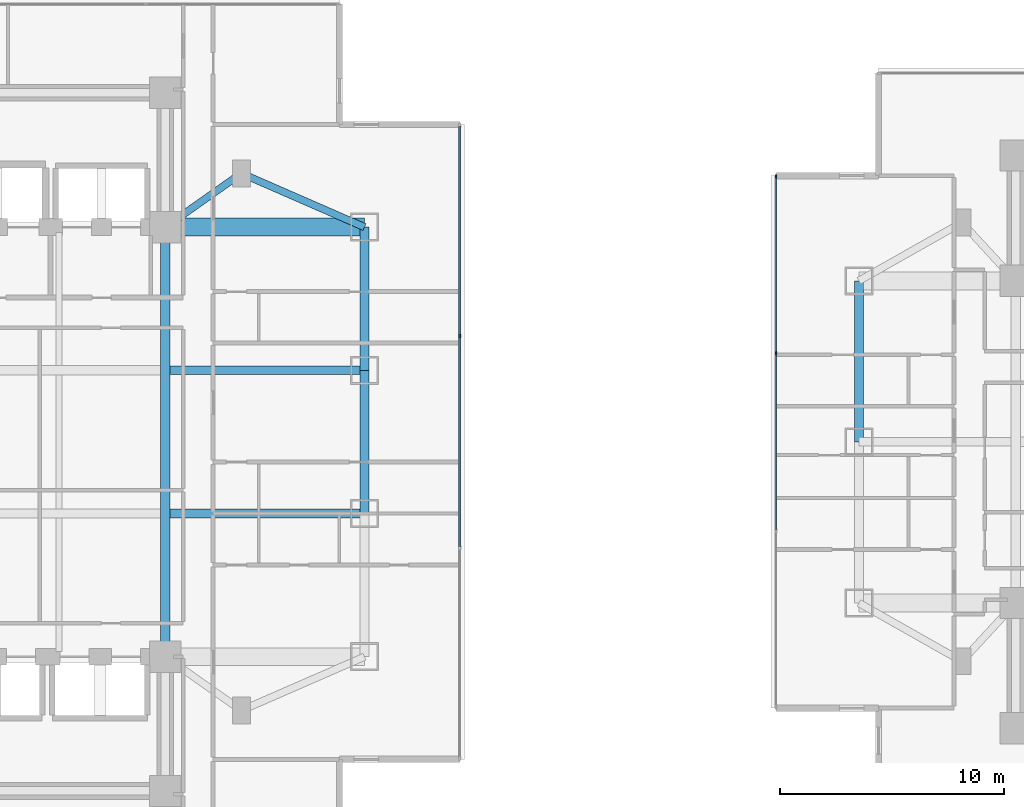
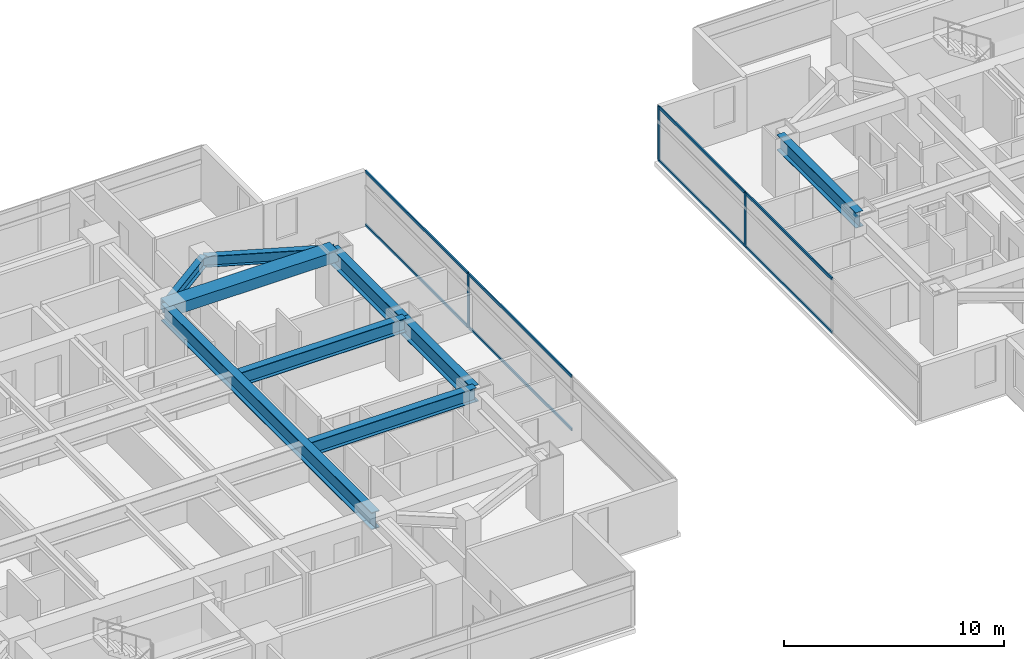
# One storey, part 6 of 27: 11 members, 9 beams, 2 elements without a shape of their own.
"""IFC4 building model written with IfcOpenShell, lengths in metres."""

from ifc_helpers import new_model, si_unit, direction, frame, origin, origin_2d, place, context, subcontext, project, spatial, rectangle, i_section, extrude, material, material_profile, profile_set, type_object, element, aggregate, save


model = new_model("IFC4")

# Units and contexts
model_context = context("Model", 3, precision=1e-05, world=origin(), true_north=direction((0.0, 1.0)))
body_context = subcontext(model_context, "Body", "Model", "MODEL_VIEW")
ifc_project = project(units=[si_unit("LENGTHUNIT", "METRE"), si_unit("AREAUNIT", "SQUARE_METRE"), si_unit("VOLUMEUNIT", "CUBIC_METRE"), si_unit("PLANEANGLEUNIT", "RADIAN"), si_unit("MASSUNIT", "GRAM", prefix="KILO")], contexts=[model_context])

# Site, building, storey
site_placement = place(None, origin())
site = spatial("IfcSite", under=ifc_project, at=site_placement, CompositionType="ELEMENT")
building_placement = place(site_placement, origin())
building = spatial("IfcBuilding", under=site, at=building_placement, Name="Mirazonda Arch Towers", CompositionType="ELEMENT")
storey_placement = place(building_placement, frame((0.0, 0.0, 42.199951171875)))
storey = spatial("IfcBuildingStorey", under=building, at=storey_placement, Name="L11", CompositionType="ELEMENT", Elevation=42.199951171875)

# Beams
ifc_material_1 = material(Name="Steel ASTM A992 Grade 50", Category="steel")
ifc_material_profile_1 = material_profile(ifc_material_1, i_section(OverallWidth=0.39990234375, OverallDepth=0.85595703125, WebThickness=0.018310546875, FlangeThickness=0.029296875, at=origin_2d()), Name="W33X201")
ifc_profile_set_1 = profile_set([ifc_material_profile_1], Name="Steel ASTM A992 Grade 50")
beam_type_1 = type_object("IfcBeamType", Name="BM-EXT-W33X201", PredefinedType="USERDEFINED", material=ifc_profile_set_1)
beam_1_placement = place(storey_placement, frame((61.0, 28.0, 2.632080078125), z_axis=(0.0, 1.0, 0.0), x_axis=(-1.0, 0.0, 0.0)))
element("IfcBeam", 1, at=beam_1_placement, inside=storey, type_object=beam_type_1, Name="L11 Floor Beam BM-T2-L11-NS-W-28", ObjectType="GIRDER", PredefinedType="USERDEFINED", context=body_context, shape_type="SweptSolid", body=[
    extrude(i_section(OverallWidth=0.39990234375, OverallDepth=0.85595703125, WebThickness=0.018310546875, FlangeThickness=0.029296875, at=origin_2d()), origin(), (0.0, 0.0, 1.0), 7.199951171875),
])
ifc_material_profile_2 = material_profile(ifc_material_1, i_section(OverallWidth=0.41796875, OverallDepth=0.927001953125, WebThickness=0.019287109375, FlangeThickness=0.031982421875, at=origin_2d()), Name="W36X231")
ifc_profile_set_2 = profile_set([ifc_material_profile_2], Name="Steel ASTM A992 Grade 50")
beam_type_2 = type_object("IfcBeamType", Name="BM-EXT-W36X231", PredefinedType="USERDEFINED", material=ifc_profile_set_2)
beam_2_placement = place(storey_placement, frame((38.89990234375, 24.800048828125, 2.596435546875), z_axis=(0.0, 1.0, 0.0), x_axis=(-1.0, 0.0, 0.0)))
element("IfcBeam", 2, at=beam_2_placement, inside=storey, type_object=beam_type_2, Name="L11 Floor Beam BM-T1-L11-NS-E-24", ObjectType="GIRDER", PredefinedType="USERDEFINED", context=body_context, shape_type="SweptSolid", body=[
    extrude(i_section(OverallWidth=0.41796875, OverallDepth=0.927001953125, WebThickness=0.019287109375, FlangeThickness=0.031982421875, at=origin_2d()), origin(), (0.0, 0.0, 1.0), 6.39990234375),
])
beam_3_placement = place(storey_placement, frame((38.89990234375, 31.199951171875, 2.596435546875), z_axis=(0.0, 1.0, 0.0), x_axis=(-1.0, 0.0, 0.0)))
element("IfcBeam", 3, at=beam_3_placement, inside=storey, type_object=beam_type_2, Name="L11 Floor Beam BM-T1-L11-NS-E-31", ObjectType="GIRDER", PredefinedType="USERDEFINED", context=body_context, shape_type="SweptSolid", body=[
    extrude(i_section(OverallWidth=0.41796875, OverallDepth=0.927001953125, WebThickness=0.019287109375, FlangeThickness=0.031982421875, at=origin_2d()), origin(), (0.0, 0.0, 1.0), 6.400146484375),
])
ifc_material_profile_3 = material_profile(ifc_material_1, i_section(OverallWidth=0.324951171875, OverallDepth=0.615966796875, WebThickness=0.013916015625, FlangeThickness=0.021484375, at=origin_2d()), Name="W24X117")
ifc_profile_set_3 = profile_set([ifc_material_profile_3], Name="Steel ASTM A992 Grade 50")
beam_type_3 = type_object("IfcBeamType", Name="BM-INT-W24X117", PredefinedType="BEAM", material=ifc_profile_set_3)
beam_4_placement = place(storey_placement, frame((33.39990234375, 40.0, 2.751953125), z_axis=(-0.816971114901, -0.576678591087, 0.0), x_axis=(0.576678591087, -0.816971114901, 0.0)))
element("IfcBeam", 4, at=beam_4_placement, inside=storey, type_object=beam_type_3, Name="L11 Floor Beam BM-T1-L11-PL-NE1", PredefinedType="BEAM", context=body_context, shape_type="SweptSolid", body=[
    extrude(i_section(OverallWidth=0.324951171875, OverallDepth=0.615966796875, WebThickness=0.013916015625, FlangeThickness=0.021484375, at=origin_2d()), origin(), (0.0, 0.0, 1.0), 4.16162109375),
])
beam_5_placement = place(storey_placement, frame((33.39990234375, 40.0, 2.751953125), z_axis=(0.916545343703, -0.399930785183, 0.0), x_axis=(0.399930785183, 0.916545343703, 0.0)))
element("IfcBeam", 5, at=beam_5_placement, inside=storey, type_object=beam_type_3, Name="L11 Floor Beam BM-T1-L11-PL-NE2", PredefinedType="BEAM", context=body_context, shape_type="SweptSolid", body=[
    extrude(i_section(OverallWidth=0.324951171875, OverallDepth=0.615966796875, WebThickness=0.013916015625, FlangeThickness=0.021484375, at=origin_2d()), origin(), (0.0, 0.0, 1.0), 6.000732421875),
])
ifc_material_profile_4 = material_profile(ifc_material_1, i_section(OverallWidth=0.381103515625, OverallDepth=0.77294921875, WebThickness=0.0166015625, FlangeThickness=0.027099609375, at=origin_2d()), Name="W30X173")
ifc_profile_set_4 = profile_set([ifc_material_profile_4], Name="Steel ASTM A992 Grade 50")
beam_type_4 = type_object("IfcBeamType", Name="BM-INT-W30X173", PredefinedType="USERDEFINED", material=ifc_profile_set_4)
for number, where, z_axis, x_axis, name in (
    (6, (30.21142578125, 24.800048828125, 2.673583984375), (1.0, 0.0, 0.0), (0.0, 1.0, 0.0), "L11 Floor Beam BM-T1-L11-GE2"),
    (7, (30.21142578125, 31.199951171875, 2.673583984375), (1.0, 0.0, 0.0), (0.0, 1.0, 0.0), "L11 Floor Beam BM-T1-L11-GE3"),
):
    element("IfcBeam", number, at=place(storey_placement, frame(where, z_axis=z_axis, x_axis=x_axis)), inside=storey, type_object=beam_type_4, Name=name, ObjectType="GIRDER", PredefinedType="USERDEFINED", context=body_context, shape_type="SweptSolid", body=[
        extrude(i_section(OverallWidth=0.381103515625, OverallDepth=0.77294921875, WebThickness=0.0166015625, FlangeThickness=0.027099609375, at=origin_2d()), origin(), (0.0, 0.0, 1.0), 8.6884765625),
    ])
ifc_material_profile_5 = material_profile(ifc_material_1, i_section(OverallWidth=0.423095703125, OverallDepth=0.947998046875, WebThickness=0.02392578125, FlangeThickness=0.042724609375, at=origin_2d()), Name="W36X302")
ifc_profile_set_5 = profile_set([ifc_material_profile_5], Name="Steel ASTM A992 Grade 50")
beam_type_5 = type_object("IfcBeamType", Name="BM-INT-W36X302", PredefinedType="USERDEFINED", material=ifc_profile_set_5)
beam_6_placement = place(storey_placement, frame((30.0, 18.39990234375, 2.5859375), z_axis=(0.0, 1.0, 0.0), x_axis=(-1.0, 0.0, 0.0)))
element("IfcBeam", 8, at=beam_6_placement, inside=storey, type_object=beam_type_5, Name="L11 Floor Beam BM-T1-L11-NS-CE-FULL", ObjectType="GIRDER", PredefinedType="USERDEFINED", context=body_context, shape_type="SweptSolid", body=[
    extrude(i_section(OverallWidth=0.423095703125, OverallDepth=0.947998046875, WebThickness=0.02392578125, FlangeThickness=0.042724609375, at=origin_2d()), origin(), (0.0, 0.0, 1.0), 19.2001953125),
])
ifc_material_2 = material(Name="Concrete C60/75", Category="concrete")
ifc_material_profile_6 = material_profile(ifc_material_2, rectangle(XDim=0.800048828125, YDim=0.60009765625, at=origin_2d()), Name="RCCB800x600")
ifc_profile_set_6 = profile_set([ifc_material_profile_6], Name="Concrete C60/75")
beam_type_6 = type_object("IfcBeamType", Name="CB-INT-RCCB800x600", PredefinedType="SPANDREL", material=ifc_profile_set_6)
beam_7_placement = place(storey_placement, frame((30.0, 37.60009765625, 2.760009765625), z_axis=(1.0, 0.0, 0.0), x_axis=(0.0, 1.0, 0.0)))
element("IfcBeam", 9, at=beam_7_placement, inside=storey, type_object=beam_type_6, Name="L11 Floor Beam CBC-T1-L11-NE", PredefinedType="SPANDREL", context=body_context, shape_type="SweptSolid", body=[
    extrude(rectangle(XDim=0.800048828125, YDim=0.60009765625, at=origin_2d()), origin(), (0.0, 0.0, 1.0), 8.89990234375),
])

# Curtain wall, member
ifc_material_3 = material(Name="Anodised Aluminium and Low-E Glass", Category="aluminium")
curtain_wall_type = type_object("IfcCurtainWallType", Name="CW-HTL-UNIT", PredefinedType="NOTDEFINED", material=ifc_material_3)
curtain_wall_1_placement = place(storey_placement, origin())
curtain_wall_1 = element("IfcCurtainWall", 10, at=curtain_wall_1_placement, inside=storey, type_object=curtain_wall_type, Name="L11 T1 E Facade CW-L11-T1-E", PredefinedType="NOTDEFINED")
ifc_material_4 = material(Name="Anodised Aluminium Alloy", Category="aluminium")
ifc_material_profile_7 = material_profile(ifc_material_4, rectangle(XDim=0.074951171875, YDim=0.1650390625, at=origin_2d()), Name="ALU-MULL-75x165")
ifc_profile_set_7 = profile_set([ifc_material_profile_7], Name="Anodised Aluminium Alloy")
member_type_1 = type_object("IfcMemberType", Name="MULL-CW-HTL-UNIT", PredefinedType="MULLION", material=ifc_profile_set_7)
member_1_placement = place(storey_placement, frame((43.159912109375, 32.729248046875, 0.0), z_axis=(0.0, 0.0, 1.0), x_axis=(-1.0, 0.0, 0.0)))
member_1 = element("IfcMember", 11, at=member_1_placement, type_object=member_type_1, Name="CW-112 mullion 3", PredefinedType="MULLION", context=body_context, shape_type="SweptSolid", body=[
    extrude(rectangle(XDim=0.074951171875, YDim=0.1650390625, at=origin_2d()), origin(), (0.0, 0.0, 1.0), 3.0400390625),
])

# Curtain wall, members
curtain_wall_2_placement = place(storey_placement, origin())
curtain_wall_2 = element("IfcCurtainWall", 12, at=curtain_wall_2_placement, inside=storey, type_object=curtain_wall_type, Name="L11 T2 W Facade CW-L11-T2-W", PredefinedType="NOTDEFINED")
member_2_placement = place(storey_placement, frame((57.2919921875, 39.8623046875, 0.0), z_axis=(0.0, 0.0, 1.0), x_axis=(1.0, 0.0, 0.0)))
member_2 = element("IfcMember", 13, at=member_2_placement, type_object=member_type_1, Name="CW-112 mullion 1", PredefinedType="MULLION", context=body_context, shape_type="SweptSolid", body=[
    extrude(rectangle(XDim=0.074951171875, YDim=0.1650390625, at=origin_2d()), origin(), (0.0, 0.0, 1.0), 3.0400390625),
])
member_3_placement = place(storey_placement, frame((57.2919921875, 31.966552734375, 0.0), z_axis=(0.0, 0.0, 1.0), x_axis=(1.0, 0.0, 0.0)))
member_3 = element("IfcMember", 14, at=member_3_placement, type_object=member_type_1, Name="CW-112 mullion 2", PredefinedType="MULLION", context=body_context, shape_type="SweptSolid", body=[
    extrude(rectangle(XDim=0.074951171875, YDim=0.1650390625, at=origin_2d()), origin(), (0.0, 0.0, 1.0), 3.0400390625),
])

# Member
ifc_material_profile_8 = material_profile(ifc_material_4, rectangle(XDim=0.074951171875, YDim=0.14501953125, at=origin_2d()), Name="ALU-TRAN-75x145")
ifc_profile_set_8 = profile_set([ifc_material_profile_8], Name="Anodised Aluminium Alloy")
member_type_2 = type_object("IfcMemberType", Name="TRAN-CW-HTL-UNIT", PredefinedType="USERDEFINED", material=ifc_profile_set_8)
member_4_placement = place(storey_placement, frame((43.159912109375, 23.30810546875, 0.03759765625), z_axis=(0.0, 1.0, 0.0), x_axis=(-1.0, 0.0, 0.0)))
member_4 = element("IfcMember", 15, at=member_4_placement, type_object=member_type_2, Name="CW-112 transom 2.1", ObjectType="TRANSOM", PredefinedType="USERDEFINED", context=body_context, shape_type="SweptSolid", body=[
    extrude(rectangle(XDim=0.074951171875, YDim=0.14501953125, at=origin_2d()), origin(), (0.0, 0.0, 1.0), 9.3837890625),
])

member_5_placement = place(storey_placement, frame((43.159912109375, 23.30810546875, 3.00244140625), z_axis=(0.0, 1.0, 0.0), x_axis=(-1.0, 0.0, 0.0)))
member_5 = element("IfcMember", 16, at=member_5_placement, type_object=member_type_2, Name="CW-112 transom 2.2", ObjectType="TRANSOM", PredefinedType="USERDEFINED", context=body_context, shape_type="SweptSolid", body=[
    extrude(rectangle(XDim=0.074951171875, YDim=0.14501953125, at=origin_2d()), origin(), (0.0, 0.0, 1.0), 9.3837890625),
])

member_6_placement = place(storey_placement, frame((43.159912109375, 32.766845703125, 0.03759765625), z_axis=(0.0, 1.0, 0.0), x_axis=(-1.0, 0.0, 0.0)))
member_6 = element("IfcMember", 17, at=member_6_placement, type_object=member_type_2, Name="CW-112 transom 3.1", ObjectType="TRANSOM", PredefinedType="USERDEFINED", context=body_context, shape_type="SweptSolid", body=[
    extrude(rectangle(XDim=0.074951171875, YDim=0.14501953125, at=origin_2d()), origin(), (0.0, 0.0, 1.0), 9.34619140625),
])

member_7_placement = place(storey_placement, frame((43.159912109375, 32.766845703125, 3.00244140625), z_axis=(0.0, 1.0, 0.0), x_axis=(-1.0, 0.0, 0.0)))
member_7 = element("IfcMember", 18, at=member_7_placement, type_object=member_type_2, Name="CW-112 transom 3.2", ObjectType="TRANSOM", PredefinedType="USERDEFINED", context=body_context, shape_type="SweptSolid", body=[
    extrude(rectangle(XDim=0.074951171875, YDim=0.14501953125, at=origin_2d()), origin(), (0.0, 0.0, 1.0), 9.34619140625),
])

aggregate(curtain_wall_1, [member_1, member_4, member_5, member_6, member_7])

member_8_placement = place(storey_placement, frame((57.2919921875, 39.82470703125, 0.03759765625), z_axis=(0.0, -1.0, 0.0), x_axis=(1.0, 0.0, 0.0)))
member_8 = element("IfcMember", 19, at=member_8_placement, type_object=member_type_2, Name="CW-112 transom 1.1", ObjectType="TRANSOM", PredefinedType="USERDEFINED", context=body_context, shape_type="SweptSolid", body=[
    extrude(rectangle(XDim=0.074951171875, YDim=0.14501953125, at=origin_2d()), origin(), (0.0, 0.0, 1.0), 7.820556640625),
])

member_9_placement = place(storey_placement, frame((57.2919921875, 39.82470703125, 3.00244140625), z_axis=(0.0, -1.0, 0.0), x_axis=(1.0, 0.0, 0.0)))
member_9 = element("IfcMember", 20, at=member_9_placement, type_object=member_type_2, Name="CW-112 transom 1.2", ObjectType="TRANSOM", PredefinedType="USERDEFINED", context=body_context, shape_type="SweptSolid", body=[
    extrude(rectangle(XDim=0.074951171875, YDim=0.14501953125, at=origin_2d()), origin(), (0.0, 0.0, 1.0), 7.820556640625),
])

member_10_placement = place(storey_placement, frame((57.2919921875, 31.92919921875, 0.03759765625), z_axis=(0.0, -1.0, 0.0), x_axis=(1.0, 0.0, 0.0)))
member_10 = element("IfcMember", 21, at=member_10_placement, type_object=member_type_2, Name="CW-112 transom 2.1", ObjectType="TRANSOM", PredefinedType="USERDEFINED", context=body_context, shape_type="SweptSolid", body=[
    extrude(rectangle(XDim=0.074951171875, YDim=0.14501953125, at=origin_2d()), origin(), (0.0, 0.0, 1.0), 7.8583984375),
])

member_11_placement = place(storey_placement, frame((57.2919921875, 31.92919921875, 3.00244140625), z_axis=(0.0, -1.0, 0.0), x_axis=(1.0, 0.0, 0.0)))
member_11 = element("IfcMember", 22, at=member_11_placement, type_object=member_type_2, Name="CW-112 transom 2.2", ObjectType="TRANSOM", PredefinedType="USERDEFINED", context=body_context, shape_type="SweptSolid", body=[
    extrude(rectangle(XDim=0.074951171875, YDim=0.14501953125, at=origin_2d()), origin(), (0.0, 0.0, 1.0), 7.8583984375),
])

aggregate(curtain_wall_2, [member_2, member_3, member_8, member_9, member_10, member_11])

save(model, "model.ifc")
